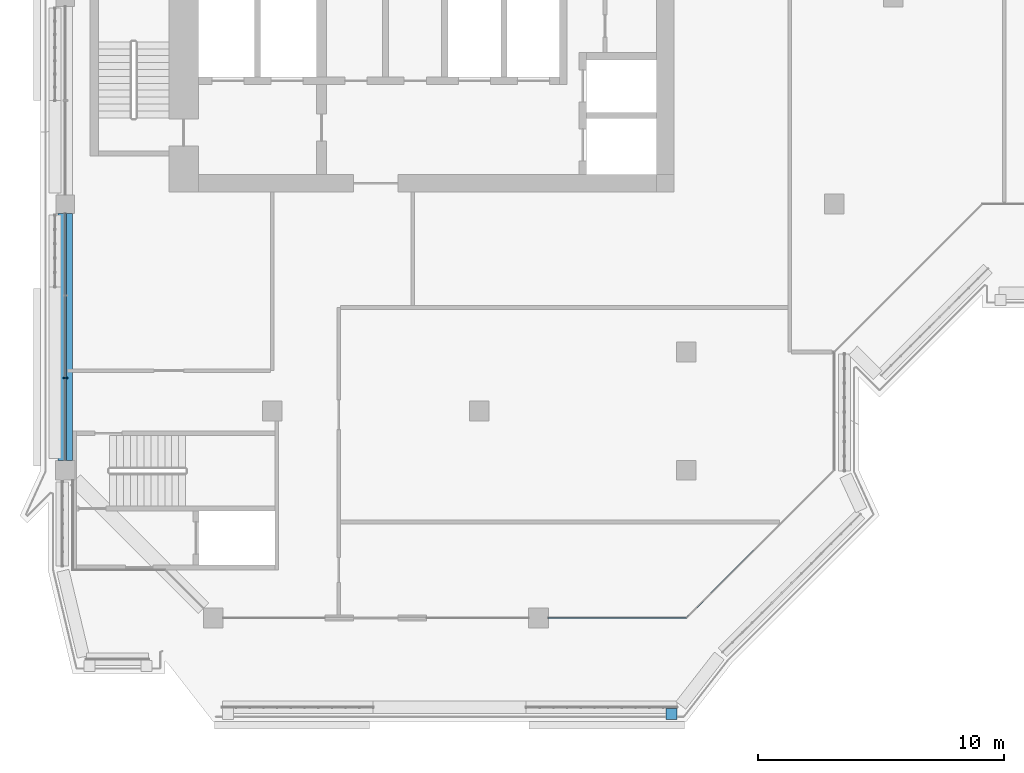
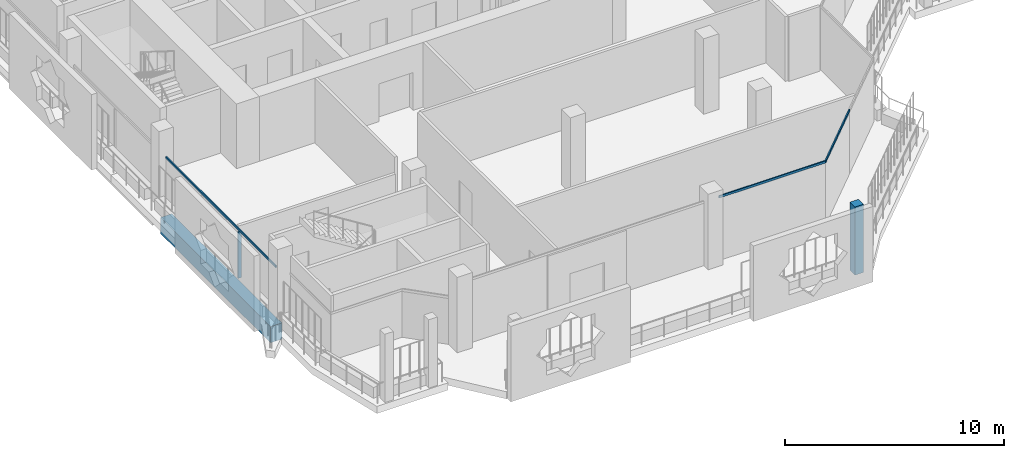
# One storey, part 2 of 21: 5 members, 1 beam, 4 elements without a shape of their own.
"""IFC4 building model written with IfcOpenShell, lengths in metres."""

from ifc_helpers import new_model, si_unit, direction, frame, origin, origin_2d, place, context, subcontext, project, spatial, rectangle, extrude, material, layer, layer_set, material_profile, profile_set, type_object, element, aggregate, save


model = new_model("IFC4")

# Units and contexts
model_context = context("Model", 3, precision=1e-05, world=origin(), true_north=direction((0.0, 1.0)))
body_context = subcontext(model_context, "Body", "Model", "MODEL_VIEW")
ifc_project = project(units=[si_unit("LENGTHUNIT", "METRE"), si_unit("AREAUNIT", "SQUARE_METRE"), si_unit("VOLUMEUNIT", "CUBIC_METRE"), si_unit("PLANEANGLEUNIT", "RADIAN"), si_unit("MASSUNIT", "GRAM", prefix="KILO")], contexts=[model_context])

# Site, building, storey
site_placement = place(None, origin())
site = spatial("IfcSite", under=ifc_project, at=site_placement, CompositionType="ELEMENT")
building_placement = place(site_placement, origin())
building = spatial("IfcBuilding", under=site, at=building_placement, Name="Kawkab Arch Medical Tower", CompositionType="ELEMENT")
storey_placement = place(building_placement, frame((0.0, 0.0, 323.800048828125)))
storey = spatial("IfcBuildingStorey", under=building, at=storey_placement, Name="L75", CompositionType="ELEMENT", Elevation=323.800048828125)

# Curtain wall, members
ifc_material_1 = material(Name="Bronze anodised aluminium curtain wall frame", Category="aluminium")
ifc_layer_1 = layer(ifc_material_1, 0.159912109375)
ifc_layer_set_1 = layer_set([ifc_layer_1], Name="Bronze anodised aluminium curtain wall frame")
curtain_wall_type_1 = type_object("IfcCurtainWallType", Name="CW1 ward curtain wall", PredefinedType="NOTDEFINED", material=ifc_layer_set_1)
placement = place(storey_placement, origin())
curtain_wall_1 = element("IfcCurtainWall", 1, at=placement, inside=storey, type_object=curtain_wall_type_1, Name="CW1 Ward curtain wall R02", PredefinedType="NOTDEFINED")
ifc_material_2 = material(Name="Bronze anodised aluminium curtain wall frame", Category="aluminium")
ifc_material_profile_1 = material_profile(ifc_material_2, rectangle(XDim=0.179931640625, YDim=0.06005859375, at=origin_2d()), Name="AL 60x180")
ifc_profile_set_1 = profile_set([ifc_material_profile_1], Name="Bronze anodised aluminium curtain wall frame")
member_type_1 = type_object("IfcMemberType", Name="CW1 mullion 60 x 180", PredefinedType="MULLION", material=ifc_profile_set_1)
member_1_placement = place(storey_placement, frame((0.0, -32.25830078125, 0.0), z_axis=(0.0, 0.0, 1.0), x_axis=(1.0, 0.0, 0.0)))
member_1 = element("IfcMember", 2, at=member_1_placement, type_object=member_type_1, Name="CW1 mullion 3.2", PredefinedType="MULLION", context=body_context, shape_type="SweptSolid", body=[
    extrude(rectangle(XDim=0.179931640625, YDim=0.06005859375, at=origin_2d()), origin(), (0.0, 0.0, 1.0), 2.579833984375),
])
ifc_material_3 = material(Name="Bronze anodised aluminium curtain wall frame", Category="aluminium")
ifc_material_profile_2 = material_profile(ifc_material_3, rectangle(XDim=0.06005859375, YDim=0.1201171875, at=origin_2d()), Name="AL 60x120")
ifc_profile_set_2 = profile_set([ifc_material_profile_2], Name="Bronze anodised aluminium curtain wall frame")
member_type_2 = type_object("IfcMemberType", Name="CW1 transom 120 x 60", PredefinedType="USERDEFINED", material=ifc_profile_set_2)
member_2_placement = place(storey_placement, frame((0.0, -25.574951171875, 2.639892578125), z_axis=(0.0, -1.0, 0.0), x_axis=(1.0, 0.0, 0.0)))
member_2 = element("IfcMember", 3, at=member_2_placement, type_object=member_type_2, Name="CW1 transom 3", ObjectType="TRANSOM", PredefinedType="USERDEFINED", context=body_context, shape_type="SweptSolid", body=[
    extrude(rectangle(XDim=0.06005859375, YDim=0.1201171875, at=origin_2d()), origin(), (0.0, 0.0, 1.0), 10.025146484375),
])
aggregate(curtain_wall_1, [member_2, member_1])

# Curtain wall, member
curtain_wall_2 = element("IfcCurtainWall", 4, at=placement, inside=storey, type_object=curtain_wall_type_1, Name="CW1 Ward curtain wall R07", PredefinedType="NOTDEFINED")
member_3_placement = place(storey_placement, frame((19.60009765625, -42.0, 3.5400390625), z_axis=(1.0, 0.0, 0.0), x_axis=(0.0, 1.0, 0.0)))
member_3 = element("IfcMember", 5, at=member_3_placement, type_object=member_type_2, Name="CW1 transom 2", ObjectType="TRANSOM", PredefinedType="USERDEFINED", context=body_context, shape_type="SweptSolid", body=[
    extrude(rectangle(XDim=0.06005859375, YDim=0.1201171875, at=origin_2d()), origin(), (0.0, 0.0, 1.0), 5.599853515625),
])
aggregate(curtain_wall_2, [member_3])

ifc_material_4 = material(Name="Bronze anodised aluminium curtain wall frame", Category="aluminium")
ifc_layer_2 = layer(ifc_material_4, 0.159912109375)
ifc_layer_set_2 = layer_set([ifc_layer_2], Name="Bronze anodised aluminium curtain wall frame")
curtain_wall_type_2 = type_object("IfcCurtainWallType", Name="CW2 chamfer curtain wall", PredefinedType="NOTDEFINED", material=ifc_layer_set_2)
curtain_wall_3 = element("IfcCurtainWall", 6, at=placement, inside=storey, type_object=curtain_wall_type_2, Name="CW2 Chamfer curtain wall R08", PredefinedType="NOTDEFINED")
ifc_material_5 = material(Name="Bronze anodised aluminium curtain wall frame", Category="aluminium")
ifc_material_profile_3 = material_profile(ifc_material_5, rectangle(XDim=0.06005859375, YDim=0.139892578125, at=origin_2d()), Name="AL 60x140")
ifc_profile_set_3 = profile_set([ifc_material_profile_3], Name="Bronze anodised aluminium curtain wall frame")
member_type_3 = type_object("IfcMemberType", Name="CW2 transom 140 x 60", PredefinedType="USERDEFINED", material=ifc_profile_set_3)
member_4_placement = place(storey_placement, frame((25.199951171875, -42.0, 3.530029296875), z_axis=(0.707106781187, 0.707106781187, 0.0), x_axis=(-0.707106781187, 0.707106781187, 0.0)))
member_4 = element("IfcMember", 7, at=member_4_placement, type_object=member_type_3, Name="CW2 transom 1", ObjectType="TRANSOM", PredefinedType="USERDEFINED", context=body_context, shape_type="SweptSolid", body=[
    extrude(rectangle(XDim=0.06005859375, YDim=0.139892578125, at=origin_2d()), origin(), (0.0, 0.0, 1.0), 4.24267578125),
])
aggregate(curtain_wall_3, [member_4])

ifc_material_6 = material(Name="Bronze anodised aluminium climber frame, planted", Category="aluminium")
ifc_layer_3 = layer(ifc_material_6, 0.449951171875)
ifc_layer_set_3 = layer_set([ifc_layer_3], Name="Bronze anodised aluminium climber frame, planted")
curtain_wall_type_3 = type_object("IfcCurtainWallType", Name="Planted climber frame", PredefinedType="NOTDEFINED", material=ifc_layer_set_3)
curtain_wall_4 = element("IfcCurtainWall", 8, at=placement, inside=storey, type_object=curtain_wall_type_3, Name="Planted climber frame L75", PredefinedType="NOTDEFINED")
ifc_material_7 = material(Name="Bronze anodised aluminium climber frame, planted", Category="aluminium")
ifc_material_profile_4 = material_profile(ifc_material_7, rectangle(XDim=0.449951171875, YDim=0.449951171875, at=origin_2d()), Name="Post 450x450")
ifc_profile_set_4 = profile_set([ifc_material_profile_4], Name="Bronze anodised aluminium climber frame, planted")
member_type_4 = type_object("IfcMemberType", Name="Planted climber post 450 x 450", PredefinedType="MULLION", material=ifc_profile_set_4)
member_5_placement = place(storey_placement, frame((24.60302734375, -45.89990234375, 0.0), z_axis=(0.0, 0.0, 1.0), x_axis=(1.0, 0.0, 0.0)))
member_5 = element("IfcMember", 9, at=member_5_placement, type_object=member_type_4, Name="Planted climber post L75.LOG-01-01.7", PredefinedType="MULLION", context=body_context, shape_type="SweptSolid", body=[
    extrude(rectangle(XDim=0.449951171875, YDim=0.449951171875, at=origin_2d()), origin(), (0.0, 0.0, 1.0), 3.800048828125),
])
aggregate(curtain_wall_4, [member_5])

# Beam
ifc_material_8 = material(Name="Concrete C40/50", Category="concrete")
ifc_material_profile_5 = material_profile(ifc_material_8, rectangle(XDim=0.60009765625, YDim=0.89990234375, at=origin_2d()), Name="RC 600x900")
ifc_profile_set_5 = profile_set([ifc_material_profile_5], Name="Concrete C40/50")
beam_type = type_object("IfcBeamType", Name="RC 600x900 beam C40/50", PredefinedType="BEAM", material=ifc_profile_set_5)
beam_placement = place(storey_placement, frame((0.0, -35.60009765625, -1.050048828125), z_axis=(0.0, 1.0, 0.0), x_axis=(-1.0, 0.0, 0.0)))
element("IfcBeam", 10, at=beam_placement, inside=storey, type_object=beam_type, Name="Overhang edge beam L75-03", PredefinedType="BEAM", context=body_context, shape_type="SweptSolid", body=[
    extrude(rectangle(XDim=0.60009765625, YDim=0.89990234375, at=origin_2d()), origin(), (0.0, 0.0, 1.0), 10.025146484375),
])

save(model, "model.ifc")
